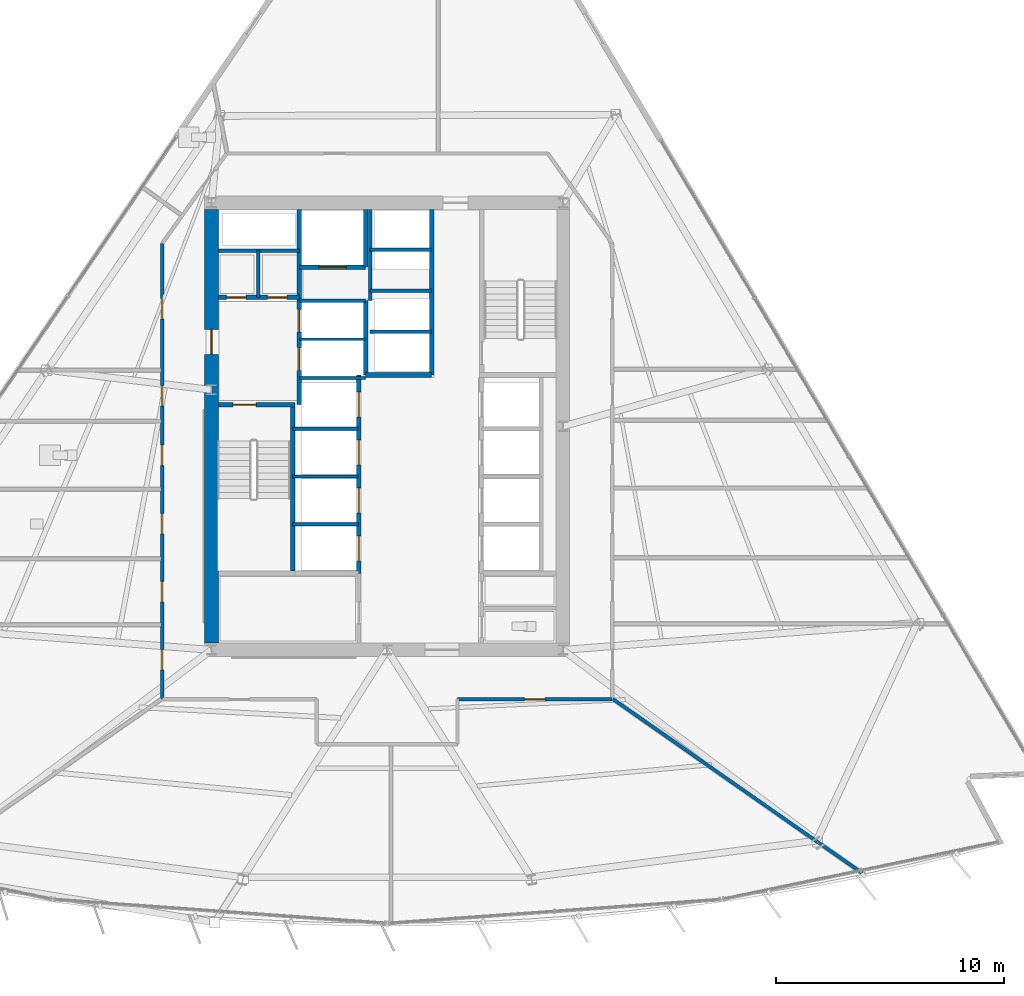
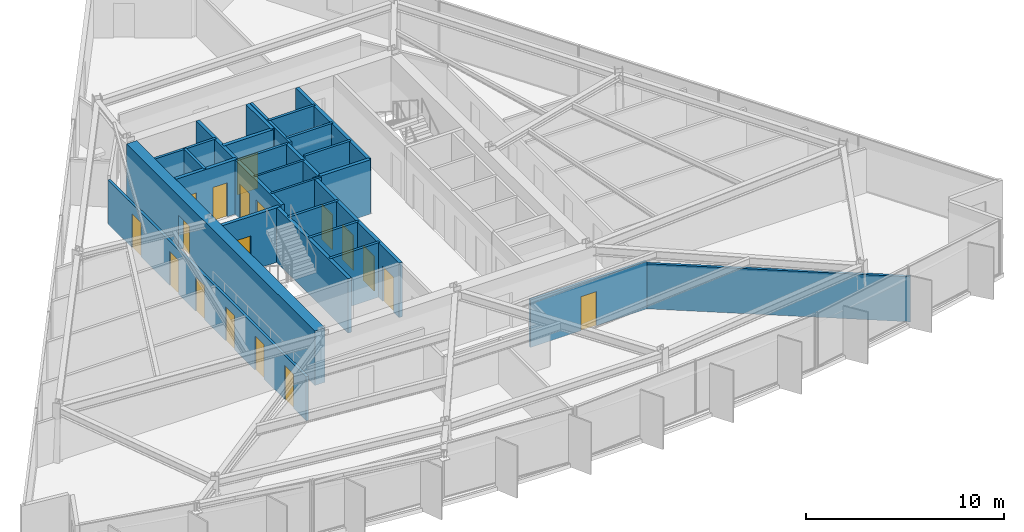
# One storey, part 8 of 15: 26 walls, 18 doors, 18 openings.
"""IFC4 building model written with IfcOpenShell, lengths in metres."""

from ifc_helpers import new_model, si_unit, direction, frame, frame_2d, origin, place, context, subcontext, project, spatial, rectangle, extrude, material, layer, layer_set, type_object, element, fill, save


model = new_model("IFC4")

# Units and contexts
model_context = context("Model", 3, precision=1e-05, world=origin(), true_north=direction((0.0, 1.0)))
body_context = subcontext(model_context, "Body", "Model", "MODEL_VIEW")
ifc_project = project(units=[si_unit("LENGTHUNIT", "METRE"), si_unit("AREAUNIT", "SQUARE_METRE"), si_unit("VOLUMEUNIT", "CUBIC_METRE"), si_unit("PLANEANGLEUNIT", "RADIAN"), si_unit("MASSUNIT", "GRAM", prefix="KILO")], contexts=[model_context])

# Site, building, storey
site_placement = place(None, origin())
site = spatial("IfcSite", under=ifc_project, at=site_placement, CompositionType="ELEMENT")
building_placement = place(site_placement, origin())
building = spatial("IfcBuilding", under=site, at=building_placement, Name="Savorim Split Tower", CompositionType="ELEMENT")
storey_placement = place(building_placement, frame((0.0, 0.0, 100.5)))
storey = spatial("IfcBuildingStorey", under=building, at=storey_placement, Name="L26", CompositionType="ELEMENT", Elevation=100.5)

# Wall, opening, door
ifc_material_1 = material(Name="Concrete C60/75", Category="concrete")
ifc_layer_1 = layer(ifc_material_1, 0.60009765625)
ifc_layer_set_1 = layer_set([ifc_layer_1], Name="WAL-COR-SH600")
wall_type_1 = type_object("IfcWallType", Name="WAL-COR-SH600", PredefinedType="SHEAR", material=ifc_layer_set_1)
wall_1_placement = place(storey_placement, frame((-7.699951171875, -9.10009765625, 0.0), z_axis=(0.0, 0.0, 1.0), x_axis=(0.0, 1.0, 0.0)))
wall_1 = element("IfcWall", 1, at=wall_1_placement, inside=storey, type_object=wall_type_1, Name="L26 Offset Core West Shear Wall", PredefinedType="SHEAR", context=body_context, shape_type="SweptSolid", body=[
    extrude(rectangle(XDim=19.0, YDim=0.60009765625, at=frame_2d((9.5, 0.0))), origin(), (0.0, 0.0, 1.0), 3.35009765625),
])
opening_1_placement = place(wall_1_placement, frame((12.64990234375, 0.0, 0.0)))
opening_1 = element("IfcOpeningElement", 2, at=opening_1_placement, cuts=wall_1, Name="Opening DI-03", PredefinedType="OPENING", context=body_context, shape_type="SweptSolid", body=[
    extrude(rectangle(XDim=1.10009765625, YDim=2.14990234375, at=frame_2d((0.550048828125, 1.074951171875))), frame((0.0, 0.31005859375, 0.0), z_axis=(0.0, -1.0, 0.0), x_axis=(1.0, 0.0, 0.0)), (0.0, 0.0, 1.0), 0.6201171875),
])
ifc_material_2 = material(Name="Timber Fire Door Leaf", Category="wood")
door_type_1 = type_object("IfcDoorType", Name="DOR-FIR-1100", OperationType="NOTDEFINED", PredefinedType="DOOR", material=ifc_material_2)
door_1_placement = place(opening_1_placement, origin())
door_1 = element("IfcDoor", 3, at=door_1_placement, inside=storey, type_object=door_type_1, Name="DOR-L26-COR-FFLOB - L26 Firefighting Lobby Corridor Door", OperationType="SINGLE_SWING_RIGHT", OverallHeight=2.14990234375, OverallWidth=1.10009765625, PredefinedType="DOOR", context=body_context, shape_type="SweptSolid", body=[
    extrude(rectangle(XDim=1.10009765625, YDim=2.14990234375, at=frame_2d((0.550048828125, 1.074951171875))), frame((0.0, 0.02490234375, 0.0), z_axis=(0.0, -1.0, 0.0), x_axis=(1.0, 0.0, 0.0)), (0.0, 0.0, 1.0), 0.050048828125),
])
fill(opening_1, door_1)

ifc_material_3 = material(Name="Concrete C50/60", Category="concrete")
ifc_layer_2 = layer(ifc_material_3, 0.199951171875)
ifc_layer_set_2 = layer_set([ifc_layer_2], Name="WAL-INT-RC200")
wall_type_2 = type_object("IfcWallType", Name="WAL-INT-RC200", PredefinedType="SOLIDWALL", material=ifc_layer_set_2)
wall_2_placement = place(storey_placement, frame((-7.39990234375, 1.35009765625, 0.0), z_axis=(0.0, 0.0, 1.0), x_axis=(1.0, 0.0, 0.0)))
wall_2 = element("IfcWall", 4, at=wall_2_placement, inside=storey, type_object=wall_type_2, Name="L26 Structural Shaft Wall W-L26-CR01", PredefinedType="SOLIDWALL", context=body_context, shape_type="SweptSolid", body=[
    extrude(rectangle(XDim=3.349853515625, YDim=0.199951171875, at=frame_2d((1.6748046875, 0.0))), origin(), (0.0, 0.0, 1.0), 3.35009765625),
])
opening_2_placement = place(wall_2_placement, frame((0.64990234375, 0.0, 0.0)))
opening_2 = element("IfcOpeningElement", 5, at=opening_2_placement, cuts=wall_2, Name="Opening DI-04", PredefinedType="OPENING", context=body_context, shape_type="SweptSolid", body=[
    extrude(rectangle(XDim=1.0, YDim=2.14990234375, at=frame_2d((0.5, 1.074951171875))), frame((0.0, 0.10986328125, 0.0), z_axis=(0.0, -1.0, 0.0), x_axis=(1.0, 0.0, 0.0)), (0.0, 0.0, 1.0), 0.219970703125),
])
door_type_2 = type_object("IfcDoorType", Name="DOR-FIR-1000", OperationType="NOTDEFINED", PredefinedType="DOOR", material=ifc_material_2)
door_2_placement = place(opening_2_placement, origin())
door_2 = element("IfcDoor", 6, at=door_2_placement, inside=storey, type_object=door_type_2, Name="DR-L26-ST1 - L26 Stair ST-1 Enclosure Door", OperationType="SINGLE_SWING_LEFT", OverallHeight=2.14990234375, OverallWidth=1.0, PredefinedType="DOOR", context=body_context, shape_type="SweptSolid", body=[
    extrude(rectangle(XDim=1.0, YDim=2.14990234375, at=frame_2d((0.5, 1.074951171875))), frame((0.0, 0.02490234375, 0.0), z_axis=(0.0, -1.0, 0.0), x_axis=(1.0, 0.0, 0.0)), (0.0, 0.0, 1.0), 0.050048828125),
])
fill(opening_2, door_2)

# Wall
wall_3_placement = place(storey_placement, frame((-4.14990234375, -5.949951171875, 0.0), z_axis=(0.0, 0.0, 1.0), x_axis=(0.0, 1.0, 0.0)))
element("IfcWall", 7, at=wall_3_placement, inside=storey, type_object=wall_type_2, Name="L26 Structural Shaft Wall W-L26-CR02", PredefinedType="SOLIDWALL", context=body_context, shape_type="SweptSolid", body=[
    extrude(rectangle(XDim=7.199951171875, YDim=0.199951171875, at=frame_2d((3.60009765625, 0.0))), origin(), (0.0, 0.0, 1.0), 3.35009765625),
])

# Wall, openings, doors
wall_4_placement = place(storey_placement, frame((-3.85009765625, 1.35009765625, 0.0), z_axis=(0.0, 0.0, 1.0), x_axis=(0.0, 1.0, 0.0)))
wall_4 = element("IfcWall", 8, at=wall_4_placement, inside=storey, type_object=wall_type_2, Name="L26 Partition W-L26-CR03", PredefinedType="SOLIDWALL", context=body_context, shape_type="SweptSolid", body=[
    extrude(rectangle(XDim=8.544921875, YDim=0.199951171875, at=frame_2d((4.2724609375, 0.0))), origin(), (0.0, 0.0, 1.0), 3.35009765625),
])
opening_3_placement = place(wall_4_placement, frame((1.5, 0.0, 0.0)))
opening_3 = element("IfcOpeningElement", 9, at=opening_3_placement, cuts=wall_4, Name="Opening LD-FFL", PredefinedType="OPENING", context=body_context, shape_type="SweptSolid", body=[
    extrude(rectangle(XDim=1.0, YDim=2.14990234375, at=frame_2d((0.5, 1.074951171875))), frame((0.0, 0.10986328125, 0.0), z_axis=(0.0, -1.0, 0.0), x_axis=(1.0, 0.0, 0.0)), (0.0, 0.0, 1.0), 0.219970703125),
])
opening_4_placement = place(wall_4_placement, frame((3.179931640625, 0.0, 0.0)))
opening_4 = element("IfcOpeningElement", 10, at=opening_4_placement, cuts=wall_4, Name="Opening LD-FFL", PredefinedType="OPENING", context=body_context, shape_type="SweptSolid", body=[
    extrude(rectangle(XDim=1.0, YDim=2.14990234375, at=frame_2d((0.5, 1.074951171875))), frame((0.0, 0.10986328125, 0.0), z_axis=(0.0, -1.0, 0.0), x_axis=(1.0, 0.0, 0.0)), (0.0, 0.0, 1.0), 0.219970703125),
])
ifc_material_4 = material(Name="Charcoal Anodised Aluminium", Category="aluminium")
door_type_3 = type_object("IfcDoorType", Name="DOR-SLD-LD1000", OperationType="NOTDEFINED", PredefinedType="DOOR", material=ifc_material_4)
door_3_placement = place(opening_3_placement, origin())
door_3 = element("IfcDoor", 11, at=door_3_placement, inside=storey, type_object=door_type_3, Name="DR-L26-LD-FFL1 - L26 Firefighting Lift FFL-1 Sliding Landing Door", OperationType="DOUBLE_DOOR_SLIDING", OverallHeight=2.14990234375, OverallWidth=1.0, PredefinedType="DOOR", context=body_context, shape_type="SweptSolid", body=[
    extrude(rectangle(XDim=1.0, YDim=2.14990234375, at=frame_2d((0.5, 1.074951171875))), frame((0.0, 0.02490234375, 0.0), z_axis=(0.0, -1.0, 0.0), x_axis=(1.0, 0.0, 0.0)), (0.0, 0.0, 1.0), 0.050048828125),
])
fill(opening_3, door_3)
door_4_placement = place(opening_4_placement, origin())
door_4 = element("IfcDoor", 12, at=door_4_placement, inside=storey, type_object=door_type_3, Name="DR-L26-LD-FFL2 - L26 Firefighting Lift FFL-2 Sliding Landing Door", OperationType="DOUBLE_DOOR_SLIDING", OverallHeight=2.14990234375, OverallWidth=1.0, PredefinedType="DOOR", context=body_context, shape_type="SweptSolid", body=[
    extrude(rectangle(XDim=1.0, YDim=2.14990234375, at=frame_2d((0.5, 1.074951171875))), frame((0.0, 0.02490234375, 0.0), z_axis=(0.0, -1.0, 0.0), x_axis=(1.0, 0.0, 0.0)), (0.0, 0.0, 1.0), 0.050048828125),
])
fill(opening_4, door_4)

wall_5_placement = place(storey_placement, frame((-7.39501953125, 6.050048828125, 0.0), z_axis=(0.0, 0.0, 1.0), x_axis=(1.0, 0.0, 0.0)))
wall_5 = element("IfcWall", 13, at=wall_5_placement, inside=storey, type_object=wall_type_2, Name="L26 Partition W-L26-CR04", PredefinedType="SOLIDWALL", context=body_context, shape_type="SweptSolid", body=[
    extrude(rectangle(XDim=3.544921875, YDim=0.199951171875, at=frame_2d((1.7724609375, 0.0))), origin(), (0.0, 0.0, 1.0), 3.35009765625),
])
opening_5_placement = place(wall_5_placement, frame((0.344970703125, 0.0, 0.0)))
opening_5 = element("IfcOpeningElement", 14, at=opening_5_placement, cuts=wall_5, Name="Opening DI-12", PredefinedType="OPENING", context=body_context, shape_type="SweptSolid", body=[
    extrude(rectangle(XDim=0.85009765625, YDim=2.10009765625, at=frame_2d((0.425048828125, 1.050048828125))), frame((0.0, 0.10986328125, 0.0), z_axis=(0.0, -1.0, 0.0), x_axis=(1.0, 0.0, 0.0)), (0.0, 0.0, 1.0), 0.219970703125),
])
opening_6_placement = place(wall_5_placement, frame((2.14501953125, 0.0, 0.0)))
opening_6 = element("IfcOpeningElement", 15, at=opening_6_placement, cuts=wall_5, Name="Opening DI-12", PredefinedType="OPENING", context=body_context, shape_type="SweptSolid", body=[
    extrude(rectangle(XDim=0.85009765625, YDim=2.10009765625, at=frame_2d((0.425048828125, 1.050048828125))), frame((0.0, 0.10986328125, 0.0), z_axis=(0.0, -1.0, 0.0), x_axis=(1.0, 0.0, 0.0)), (0.0, 0.0, 1.0), 0.219970703125),
])
ifc_material_5 = material(Name="Galvanised Painted Steel Balustrade", Category="steel")
door_type_4 = type_object("IfcDoorType", Name="DOR-RIS-850", OperationType="NOTDEFINED", PredefinedType="DOOR", material=ifc_material_5)
door_5_placement = place(opening_5_placement, origin())
door_5 = element("IfcDoor", 16, at=door_5_placement, inside=storey, type_object=door_type_4, Name="DR-L26-ELR - L26 Electrical Riser Access Door", OperationType="SINGLE_SWING_RIGHT", OverallHeight=2.10009765625, OverallWidth=0.85009765625, PredefinedType="DOOR", context=body_context, shape_type="SweptSolid", body=[
    extrude(rectangle(XDim=0.85009765625, YDim=2.10009765625, at=frame_2d((0.425048828125, 1.050048828125))), frame((0.0, 0.02490234375, 0.0), z_axis=(0.0, -1.0, 0.0), x_axis=(1.0, 0.0, 0.0)), (0.0, 0.0, 1.0), 0.050048828125),
])
fill(opening_5, door_5)
door_6_placement = place(opening_6_placement, origin())
door_6 = element("IfcDoor", 17, at=door_6_placement, inside=storey, type_object=door_type_4, Name="DR-L26-TLR - L26 Telecom Riser Access Door", OperationType="SINGLE_SWING_LEFT", OverallHeight=2.10009765625, OverallWidth=0.85009765625, PredefinedType="DOOR", context=body_context, shape_type="SweptSolid", body=[
    extrude(rectangle(XDim=0.85009765625, YDim=2.10009765625, at=frame_2d((0.425048828125, 1.050048828125))), frame((0.0, 0.02490234375, 0.0), z_axis=(0.0, -1.0, 0.0), x_axis=(1.0, 0.0, 0.0)), (0.0, 0.0, 1.0), 0.050048828125),
])
fill(opening_6, door_6)

# Wall
wall_6_placement = place(storey_placement, frame((-0.949951171875, 2.64990234375, 0.0), z_axis=(0.0, 0.0, 1.0), x_axis=(0.0, 1.0, 0.0)))
element("IfcWall", 18, at=wall_6_placement, inside=storey, type_object=wall_type_2, Name="L26 Partition W-L26-FFLW", PredefinedType="SOLIDWALL", context=body_context, shape_type="SweptSolid", body=[
    extrude(rectangle(XDim=3.27001953125, YDim=0.199951171875, at=frame_2d((1.635009765625, 0.0))), origin(), (0.0, 0.0, 1.0), 3.35009765625),
])

# Wall, opening, door
wall_7_placement = place(storey_placement, frame((-3.85009765625, 7.3798828125, 0.0), z_axis=(0.0, 0.0, 1.0), x_axis=(1.0, 0.0, 0.0)))
wall_7 = element("IfcWall", 19, at=wall_7_placement, inside=storey, type_object=wall_type_2, Name="L26 Partition W-L26-SVLS", PredefinedType="SOLIDWALL", context=body_context, shape_type="SweptSolid", body=[
    extrude(rectangle(XDim=2.900146484375, YDim=0.199951171875, at=frame_2d((1.4501953125, 0.0))), origin(), (0.0, 0.0, 1.0), 3.35009765625),
])
opening_7_placement = place(wall_7_placement, frame((0.85009765625, 0.0, 0.0)))
opening_7 = element("IfcOpeningElement", 20, at=opening_7_placement, cuts=wall_7, Name="Opening LD-SV", PredefinedType="OPENING", context=body_context, shape_type="SweptSolid", body=[
    extrude(rectangle(XDim=1.199951171875, YDim=2.199951171875, at=frame_2d((0.60009765625, 1.10009765625))), frame((0.0, 0.10986328125, 0.0), z_axis=(0.0, -1.0, 0.0), x_axis=(1.0, 0.0, 0.0)), (0.0, 0.0, 1.0), 0.219970703125),
])
door_type_5 = type_object("IfcDoorType", Name="DOR-SLD-SV1200", OperationType="NOTDEFINED", PredefinedType="DOOR", material=ifc_material_4)
door_7_placement = place(opening_7_placement, origin())
door_7 = element("IfcDoor", 21, at=door_7_placement, inside=storey, type_object=door_type_5, Name="DR-L26-LD-SVL1 - L26 Service Lift SVL-1 Sliding Landing Door", OperationType="DOUBLE_DOOR_SLIDING", OverallHeight=2.199951171875, OverallWidth=1.199951171875, PredefinedType="DOOR", context=body_context, shape_type="SweptSolid", body=[
    extrude(rectangle(XDim=1.199951171875, YDim=2.199951171875, at=frame_2d((0.60009765625, 1.10009765625))), frame((0.0, 0.02490234375, 0.0), z_axis=(0.0, -1.0, 0.0), x_axis=(1.0, 0.0, 0.0)), (0.0, 0.0, 1.0), 0.050048828125),
])
fill(opening_7, door_7)

# Wall
wall_8_placement = place(storey_placement, frame((-0.949951171875, 7.3798828125, 0.0), z_axis=(0.0, 0.0, 1.0), x_axis=(0.0, 1.0, 0.0)))
element("IfcWall", 22, at=wall_8_placement, inside=storey, type_object=wall_type_2, Name="L26 Partition W-L26-SVLE", PredefinedType="SOLIDWALL", context=body_context, shape_type="SweptSolid", body=[
    extrude(rectangle(XDim=2.51513671875, YDim=0.199951171875, at=frame_2d((1.257568359375, 0.0))), origin(), (0.0, 0.0, 1.0), 3.35009765625),
])

# Wall, openings, doors
wall_9_placement = place(storey_placement, frame((-1.25, -6.050048828125, 0.0), z_axis=(0.0, 0.0, 1.0), x_axis=(0.0, 1.0, 0.0)))
wall_9 = element("IfcWall", 23, at=wall_9_placement, inside=storey, type_object=wall_type_2, Name="L26 Partition W-L26-B2FRONT", PredefinedType="SOLIDWALL", context=body_context, shape_type="SweptSolid", body=[
    extrude(rectangle(XDim=8.699951171875, YDim=0.199951171875, at=frame_2d((4.35009765625, 0.0))), origin(), (0.0, 0.0, 1.0), 3.35009765625),
])
opening_8_placement = place(wall_9_placement, frame((0.550048828125, 0.0, 0.0)))
opening_8 = element("IfcOpeningElement", 24, at=opening_8_placement, cuts=wall_9, Name="Opening LD-02", PredefinedType="OPENING", context=body_context, shape_type="SweptSolid", body=[
    extrude(rectangle(XDim=1.10009765625, YDim=2.14990234375, at=frame_2d((0.550048828125, 1.074951171875))), frame((0.0, 0.10986328125, 0.0), z_axis=(0.0, -1.0, 0.0), x_axis=(1.0, 0.0, 0.0)), (0.0, 0.0, 1.0), 0.219970703125),
])
opening_9_placement = place(wall_9_placement, frame((2.64990234375, 0.0, 0.0)))
opening_9 = element("IfcOpeningElement", 25, at=opening_9_placement, cuts=wall_9, Name="Opening LD-02", PredefinedType="OPENING", context=body_context, shape_type="SweptSolid", body=[
    extrude(rectangle(XDim=1.10009765625, YDim=2.14990234375, at=frame_2d((0.550048828125, 1.074951171875))), frame((0.0, 0.10986328125, 0.0), z_axis=(0.0, -1.0, 0.0), x_axis=(1.0, 0.0, 0.0)), (0.0, 0.0, 1.0), 0.219970703125),
])
opening_10_placement = place(wall_9_placement, frame((4.75, 0.0, 0.0)))
opening_10 = element("IfcOpeningElement", 26, at=opening_10_placement, cuts=wall_9, Name="Opening LD-02", PredefinedType="OPENING", context=body_context, shape_type="SweptSolid", body=[
    extrude(rectangle(XDim=1.10009765625, YDim=2.14990234375, at=frame_2d((0.550048828125, 1.074951171875))), frame((0.0, 0.10986328125, 0.0), z_axis=(0.0, -1.0, 0.0), x_axis=(1.0, 0.0, 0.0)), (0.0, 0.0, 1.0), 0.219970703125),
])
opening_11_placement = place(wall_9_placement, frame((6.85009765625, 0.0, 0.0)))
opening_11 = element("IfcOpeningElement", 27, at=opening_11_placement, cuts=wall_9, Name="Opening LD-02", PredefinedType="OPENING", context=body_context, shape_type="SweptSolid", body=[
    extrude(rectangle(XDim=1.10009765625, YDim=2.14990234375, at=frame_2d((0.550048828125, 1.074951171875))), frame((0.0, 0.10986328125, 0.0), z_axis=(0.0, -1.0, 0.0), x_axis=(1.0, 0.0, 0.0)), (0.0, 0.0, 1.0), 0.219970703125),
])
door_type_6 = type_object("IfcDoorType", Name="DOR-SLD-LDM1100", OperationType="NOTDEFINED", PredefinedType="DOOR", material=ifc_material_4)
door_8_placement = place(opening_8_placement, origin())
door_8 = element("IfcDoor", 28, at=door_8_placement, inside=storey, type_object=door_type_6, Name="DR-L26-LD-PLM1 - L26 Lift PL-M1 Sliding Landing Door", OperationType="DOUBLE_DOOR_SLIDING", OverallHeight=2.14990234375, OverallWidth=1.10009765625, PredefinedType="DOOR", context=body_context, shape_type="SweptSolid", body=[
    extrude(rectangle(XDim=1.10009765625, YDim=2.14990234375, at=frame_2d((0.550048828125, 1.074951171875))), frame((0.0, 0.02490234375, 0.0), z_axis=(0.0, -1.0, 0.0), x_axis=(1.0, 0.0, 0.0)), (0.0, 0.0, 1.0), 0.050048828125),
])
fill(opening_8, door_8)
door_9_placement = place(opening_9_placement, origin())
door_9 = element("IfcDoor", 29, at=door_9_placement, inside=storey, type_object=door_type_6, Name="DR-L26-LD-PLM2 - L26 Lift PL-M2 Sliding Landing Door", OperationType="DOUBLE_DOOR_SLIDING", OverallHeight=2.14990234375, OverallWidth=1.10009765625, PredefinedType="DOOR", context=body_context, shape_type="SweptSolid", body=[
    extrude(rectangle(XDim=1.10009765625, YDim=2.14990234375, at=frame_2d((0.550048828125, 1.074951171875))), frame((0.0, 0.02490234375, 0.0), z_axis=(0.0, -1.0, 0.0), x_axis=(1.0, 0.0, 0.0)), (0.0, 0.0, 1.0), 0.050048828125),
])
fill(opening_9, door_9)
door_10_placement = place(opening_10_placement, origin())
door_10 = element("IfcDoor", 30, at=door_10_placement, inside=storey, type_object=door_type_6, Name="DR-L26-LD-PLM3 - L26 Lift PL-M3 Sliding Landing Door", OperationType="DOUBLE_DOOR_SLIDING", OverallHeight=2.14990234375, OverallWidth=1.10009765625, PredefinedType="DOOR", context=body_context, shape_type="SweptSolid", body=[
    extrude(rectangle(XDim=1.10009765625, YDim=2.14990234375, at=frame_2d((0.550048828125, 1.074951171875))), frame((0.0, 0.02490234375, 0.0), z_axis=(0.0, -1.0, 0.0), x_axis=(1.0, 0.0, 0.0)), (0.0, 0.0, 1.0), 0.050048828125),
])
fill(opening_10, door_10)
door_11_placement = place(opening_11_placement, origin())
door_11 = element("IfcDoor", 31, at=door_11_placement, inside=storey, type_object=door_type_6, Name="DR-L26-LD-PLM4 - L26 Lift PL-M4 Sliding Landing Door", OperationType="DOUBLE_DOOR_SLIDING", OverallHeight=2.14990234375, OverallWidth=1.10009765625, PredefinedType="DOOR", context=body_context, shape_type="SweptSolid", body=[
    extrude(rectangle(XDim=1.10009765625, YDim=2.14990234375, at=frame_2d((0.550048828125, 1.074951171875))), frame((0.0, 0.02490234375, 0.0), z_axis=(0.0, -1.0, 0.0), x_axis=(1.0, 0.0, 0.0)), (0.0, 0.0, 1.0), 0.050048828125),
])
fill(opening_11, door_11)

# Walls
wall_10_placement = place(storey_placement, frame((1.949951171875, 2.64990234375, 0.0), z_axis=(0.0, 0.0, 1.0), x_axis=(0.0, 1.0, 0.0)))
element("IfcWall", 32, at=wall_10_placement, inside=storey, type_object=wall_type_2, Name="L26 Partition W-L26-B3FRONT", PredefinedType="SOLIDWALL", context=body_context, shape_type="SweptSolid", body=[
    extrude(rectangle(XDim=7.2451171875, YDim=0.199951171875, at=frame_2d((3.62255859375, 0.0))), origin(), (0.0, 0.0, 1.0), 3.35009765625),
])
wall_11_placement = place(storey_placement, frame((-0.949951171875, 2.64990234375, 0.0), z_axis=(0.0, 0.0, 1.0), x_axis=(1.0, 0.0, 0.0)))
element("IfcWall", 33, at=wall_11_placement, inside=storey, type_object=wall_type_2, Name="L26 Partition W-L26-B3SOUTH", PredefinedType="SOLIDWALL", context=body_context, shape_type="SweptSolid", body=[
    extrude(rectangle(XDim=2.89990234375, YDim=0.199951171875, at=frame_2d((1.449951171875, 0.0))), origin(), (0.0, 0.0, 1.0), 3.35009765625),
])
ifc_material_6 = material(Name="Acoustic Gypsum Partition Board")
ifc_layer_3 = layer(ifc_material_6, 0.1201171875)
ifc_layer_set_3 = layer_set([ifc_layer_3], Name="WAL-PAR-120")
wall_type_3 = type_object("IfcWallType", Name="WAL-PAR-120", PredefinedType="PARTITIONING", material=ifc_layer_set_3)
for number, where, z_axis, x_axis, name in (
    (34, (-3.85009765625, 2.52001953125, 0.0), (0.0, 0.0, 1.0), (1.0, 0.0, 0.0), "L26 Partition W-L26-FFLD0"),
    (35, (-3.85009765625, 4.219970703125, 0.0), (0.0, 0.0, 1.0), (1.0, 0.0, 0.0), "L26 Partition W-L26-FFLD1"),
):
    element("IfcWall", number, at=place(storey_placement, frame(where, z_axis=z_axis, x_axis=x_axis)), inside=storey, type_object=wall_type_3, Name=name, PredefinedType="PARTITIONING", context=body_context, shape_type="SweptSolid", body=[
        extrude(rectangle(XDim=2.900146484375, YDim=0.1201171875, at=frame_2d((1.4501953125, 0.0))), origin(), (0.0, 0.0, 1.0), 3.35009765625),
    ])
ifc_layer_4 = layer(ifc_material_6, 0.14990234375)
ifc_layer_set_4 = layer_set([ifc_layer_4], Name="WAL-PAR-150")
wall_type_4 = type_object("IfcWallType", Name="WAL-PAR-150", PredefinedType="PARTITIONING", material=ifc_layer_set_4)
wall_12_placement = place(storey_placement, frame((-7.39501953125, 8.10009765625, 0.0), z_axis=(0.0, 0.0, 1.0), x_axis=(1.0, 0.0, 0.0)))
element("IfcWall", 36, at=wall_12_placement, inside=storey, type_object=wall_type_4, Name="L26 Partition W-L26-CR05", PredefinedType="PARTITIONING", context=body_context, shape_type="SweptSolid", body=[
    extrude(rectangle(XDim=3.544921875, YDim=0.14990234375, at=frame_2d((1.7724609375, 0.0))), origin(), (0.0, 0.0, 1.0), 3.35009765625),
])
wall_13_placement = place(storey_placement, frame((-5.64990234375, 6.050048828125, 0.0), z_axis=(0.0, 0.0, 1.0), x_axis=(0.0, 1.0, 0.0)))
element("IfcWall", 37, at=wall_13_placement, inside=storey, type_object=wall_type_4, Name="L26 Partition W-L26-CR06", PredefinedType="PARTITIONING", context=body_context, shape_type="SweptSolid", body=[
    extrude(rectangle(XDim=2.050048828125, YDim=0.14990234375, at=frame_2d((1.02490234375, 0.0))), origin(), (0.0, 0.0, 1.0), 3.35009765625),
])
wall_14_placement = place(storey_placement, frame((-3.85009765625, 5.89990234375, 0.0), z_axis=(0.0, 0.0, 1.0), x_axis=(1.0, 0.0, 0.0)))
element("IfcWall", 38, at=wall_14_placement, inside=storey, type_object=wall_type_4, Name="L26 Partition W-L26-FFLD2", PredefinedType="PARTITIONING", context=body_context, shape_type="SweptSolid", body=[
    extrude(rectangle(XDim=2.900146484375, YDim=0.14990234375, at=frame_2d((1.4501953125, 0.0))), origin(), (0.0, 0.0, 1.0), 3.35009765625),
])
for number, where, z_axis, x_axis, name in (
    (39, (-4.14990234375, -3.89990234375, 0.0), (0.0, 0.0, 1.0), (1.0, 0.0, 0.0), "L26 Partition W-L26-B2DIV1"),
    (40, (-4.14990234375, -1.800048828125, 0.0), (0.0, 0.0, 1.0), (1.0, 0.0, 0.0), "L26 Partition W-L26-B2DIV2"),
    (41, (-4.14990234375, 0.300048828125, 0.0), (0.0, 0.0, 1.0), (1.0, 0.0, 0.0), "L26 Partition W-L26-B2DIV3"),
):
    element("IfcWall", number, at=place(storey_placement, frame(where, z_axis=z_axis, x_axis=x_axis)), inside=storey, type_object=wall_type_4, Name=name, PredefinedType="PARTITIONING", context=body_context, shape_type="SweptSolid", body=[
        extrude(rectangle(XDim=2.89990234375, YDim=0.14990234375, at=frame_2d((1.449951171875, 0.0))), origin(), (0.0, 0.0, 1.0), 3.35009765625),
    ])
wall_15_placement = place(storey_placement, frame((-0.75, 5.919921875, 0.0), z_axis=(0.0, 0.0, 1.0), x_axis=(0.0, 1.0, 0.0)))
element("IfcWall", 42, at=wall_15_placement, inside=storey, type_object=wall_type_4, Name="L26 Partition W-L26-B3WEST", PredefinedType="PARTITIONING", context=body_context, shape_type="SweptSolid", body=[
    extrude(rectangle(XDim=3.97509765625, YDim=0.14990234375, at=frame_2d((1.987548828125, 0.0))), origin(), (0.0, 0.0, 1.0), 3.35009765625),
])
for number, where, z_axis, x_axis, name in (
    (43, (-0.75, 4.550048828125, 0.0), (0.0, 0.0, 1.0), (1.0, 0.0, 0.0), "L26 Partition W-L26-B3DIV1"),
    (44, (-0.75, 6.35009765625, 0.0), (0.0, 0.0, 1.0), (1.0, 0.0, 0.0), "L26 Partition W-L26-B3DIV2"),
    (45, (-0.75, 8.14990234375, 0.0), (0.0, 0.0, 1.0), (1.0, 0.0, 0.0), "L26 Partition W-L26-B3DIV3"),
):
    element("IfcWall", number, at=place(storey_placement, frame(where, z_axis=z_axis, x_axis=x_axis)), inside=storey, type_object=wall_type_4, Name=name, PredefinedType="PARTITIONING", context=body_context, shape_type="SweptSolid", body=[
        extrude(rectangle(XDim=2.699951171875, YDim=0.14990234375, at=frame_2d((1.35009765625, 0.0))), origin(), (0.0, 0.0, 1.0), 3.35009765625),
    ])

# Wall, openings, doors
wall_16_placement = place(storey_placement, frame((-9.860107421875, -11.56005859375, 0.0), z_axis=(0.0, 0.0, 1.0), x_axis=(0.0, 1.0, 0.0)))
wall_16 = element("IfcWall", 46, at=wall_16_placement, inside=storey, type_object=wall_type_4, Name="L26 Partition W-L26-COR-01", PredefinedType="PARTITIONING", context=body_context, shape_type="SweptSolid", body=[
    extrude(rectangle(XDim=19.98583984375, YDim=0.14990234375, at=frame_2d((9.992919921875, 0.0))), origin(), (0.0, 0.0, 1.0), 2.705078125),
])
opening_12_placement = place(wall_16_placement, frame((10.240966796875, 0.0, 0.0)))
opening_12 = element("IfcOpeningElement", 47, at=opening_12_placement, cuts=wall_16, Name="Opening DI-11", PredefinedType="OPENING", context=body_context, shape_type="SweptSolid", body=[
    extrude(rectangle(XDim=0.89990234375, YDim=2.10009765625, at=frame_2d((0.449951171875, 1.050048828125))), frame((0.0, 0.0849609375, 0.0), z_axis=(0.0, -1.0, 0.0), x_axis=(1.0, 0.0, 0.0)), (0.0, 0.0, 1.0), 0.169921875),
])
opening_13_placement = place(wall_16_placement, frame((7.231201171875, 0.0, 0.0)))
opening_13 = element("IfcOpeningElement", 48, at=opening_13_placement, cuts=wall_16, Name="Opening DI-06", PredefinedType="OPENING", context=body_context, shape_type="SweptSolid", body=[
    extrude(rectangle(XDim=0.89990234375, YDim=2.10009765625, at=frame_2d((0.449951171875, 1.050048828125))), frame((0.0, 0.0849609375, 0.0), z_axis=(0.0, -1.0, 0.0), x_axis=(1.0, 0.0, 0.0)), (0.0, 0.0, 1.0), 0.169921875),
])
opening_14_placement = place(wall_16_placement, frame((4.25927734375, 0.0, 0.0)))
opening_14 = element("IfcOpeningElement", 49, at=opening_14_placement, cuts=wall_16, Name="Opening DI-06", PredefinedType="OPENING", context=body_context, shape_type="SweptSolid", body=[
    extrude(rectangle(XDim=0.89990234375, YDim=2.10009765625, at=frame_2d((0.449951171875, 1.050048828125))), frame((0.0, 0.0849609375, 0.0), z_axis=(0.0, -1.0, 0.0), x_axis=(1.0, 0.0, 0.0)), (0.0, 0.0, 1.0), 0.169921875),
])
opening_15_placement = place(wall_16_placement, frame((1.269775390625, 0.0, 0.0)))
opening_15 = element("IfcOpeningElement", 50, at=opening_15_placement, cuts=wall_16, Name="Opening DI-06", PredefinedType="OPENING", context=body_context, shape_type="SweptSolid", body=[
    extrude(rectangle(XDim=0.89990234375, YDim=2.10009765625, at=frame_2d((0.449951171875, 1.050048828125))), frame((0.0, 0.0849609375, 0.0), z_axis=(0.0, -1.0, 0.0), x_axis=(1.0, 0.0, 0.0)), (0.0, 0.0, 1.0), 0.169921875),
])
opening_16_placement = place(wall_16_placement, frame((16.66259765625, 0.0, 0.0)))
opening_16 = element("IfcOpeningElement", 51, at=opening_16_placement, cuts=wall_16, Name="Opening DI-06", PredefinedType="OPENING", context=body_context, shape_type="SweptSolid", body=[
    extrude(rectangle(XDim=0.89990234375, YDim=2.10009765625, at=frame_2d((0.449951171875, 1.050048828125))), frame((0.0, 0.0849609375, 0.0), z_axis=(0.0, -1.0, 0.0), x_axis=(1.0, 0.0, 0.0)), (0.0, 0.0, 1.0), 0.169921875),
])
opening_17_placement = place(wall_16_placement, frame((12.84716796875, 0.0, 0.0)))
opening_17 = element("IfcOpeningElement", 52, at=opening_17_placement, cuts=wall_16, Name="Opening DI-06", PredefinedType="OPENING", context=body_context, shape_type="SweptSolid", body=[
    extrude(rectangle(XDim=0.89990234375, YDim=2.10009765625, at=frame_2d((0.449951171875, 1.050048828125))), frame((0.0, 0.0849609375, 0.0), z_axis=(0.0, -1.0, 0.0), x_axis=(1.0, 0.0, 0.0)), (0.0, 0.0, 1.0), 0.169921875),
])
door_type_7 = type_object("IfcDoorType", Name="DOR-FIR-900", OperationType="NOTDEFINED", PredefinedType="DOOR", material=ifc_material_2)
door_12_placement = place(opening_13_placement, origin())
door_12 = element("IfcDoor", 53, at=door_12_placement, inside=storey, type_object=door_type_7, Name="DR-L26-RM02 - L26 Shared Kitchen Entry Door", OperationType="SINGLE_SWING_LEFT", OverallHeight=2.10009765625, OverallWidth=0.89990234375, PredefinedType="DOOR", context=body_context, shape_type="SweptSolid", body=[
    extrude(rectangle(XDim=0.89990234375, YDim=2.10009765625, at=frame_2d((0.449951171875, 1.050048828125))), frame((0.0, 0.02490234375, 0.0), z_axis=(0.0, -1.0, 0.0), x_axis=(1.0, 0.0, 0.0)), (0.0, 0.0, 1.0), 0.050048828125),
])
fill(opening_13, door_12)
door_13_placement = place(opening_14_placement, origin())
door_13 = element("IfcDoor", 54, at=door_13_placement, inside=storey, type_object=door_type_7, Name="DR-L26-RM03 - L26 Co-Working Commons Entry Door", OperationType="SINGLE_SWING_RIGHT", OverallHeight=2.10009765625, OverallWidth=0.89990234375, PredefinedType="DOOR", context=body_context, shape_type="SweptSolid", body=[
    extrude(rectangle(XDim=0.89990234375, YDim=2.10009765625, at=frame_2d((0.449951171875, 1.050048828125))), frame((0.0, 0.02490234375, 0.0), z_axis=(0.0, -1.0, 0.0), x_axis=(1.0, 0.0, 0.0)), (0.0, 0.0, 1.0), 0.050048828125),
])
fill(opening_14, door_13)
door_14_placement = place(opening_15_placement, origin())
door_14 = element("IfcDoor", 55, at=door_14_placement, inside=storey, type_object=door_type_7, Name="DR-L26-RM04 - L26 Co-Working Commons Entry Door", OperationType="SINGLE_SWING_LEFT", OverallHeight=2.10009765625, OverallWidth=0.89990234375, PredefinedType="DOOR", context=body_context, shape_type="SweptSolid", body=[
    extrude(rectangle(XDim=0.89990234375, YDim=2.10009765625, at=frame_2d((0.449951171875, 1.050048828125))), frame((0.0, 0.02490234375, 0.0), z_axis=(0.0, -1.0, 0.0), x_axis=(1.0, 0.0, 0.0)), (0.0, 0.0, 1.0), 0.050048828125),
])
fill(opening_15, door_14)
door_15_placement = place(opening_16_placement, origin())
door_15 = element("IfcDoor", 56, at=door_15_placement, inside=storey, type_object=door_type_7, Name="DR-L26-RM15 - L26 Maker Workshop Entry Door", OperationType="SINGLE_SWING_RIGHT", OverallHeight=2.10009765625, OverallWidth=0.89990234375, PredefinedType="DOOR", context=body_context, shape_type="SweptSolid", body=[
    extrude(rectangle(XDim=0.89990234375, YDim=2.10009765625, at=frame_2d((0.449951171875, 1.050048828125))), frame((0.0, 0.02490234375, 0.0), z_axis=(0.0, -1.0, 0.0), x_axis=(1.0, 0.0, 0.0)), (0.0, 0.0, 1.0), 0.050048828125),
])
fill(opening_16, door_15)
door_16_placement = place(opening_17_placement, origin())
door_16 = element("IfcDoor", 57, at=door_16_placement, inside=storey, type_object=door_type_7, Name="DR-L26-RM16 - L26 Co-Living Bedroom Entry Door", OperationType="SINGLE_SWING_LEFT", OverallHeight=2.10009765625, OverallWidth=0.89990234375, PredefinedType="DOOR", context=body_context, shape_type="SweptSolid", body=[
    extrude(rectangle(XDim=0.89990234375, YDim=2.10009765625, at=frame_2d((0.449951171875, 1.050048828125))), frame((0.0, 0.02490234375, 0.0), z_axis=(0.0, -1.0, 0.0), x_axis=(1.0, 0.0, 0.0)), (0.0, 0.0, 1.0), 0.050048828125),
])
fill(opening_17, door_16)
ifc_material_7 = material(Name="Oak Veneer Acoustic Door")
door_type_8 = type_object("IfcDoorType", Name="DOR-WC-900", OperationType="NOTDEFINED", PredefinedType="DOOR", material=ifc_material_7)
door_17_placement = place(opening_12_placement, origin())
door_17 = element("IfcDoor", 58, at=door_17_placement, inside=storey, type_object=door_type_8, Name="DR-L26-RM01 - L26 Shared Bathroom Entry Door", OperationType="SINGLE_SWING_RIGHT", OverallHeight=2.10009765625, OverallWidth=0.89990234375, PredefinedType="DOOR", context=body_context, shape_type="SweptSolid", body=[
    extrude(rectangle(XDim=0.89990234375, YDim=2.10009765625, at=frame_2d((0.449951171875, 1.050048828125))), frame((0.0, 0.02490234375, 0.0), z_axis=(0.0, -1.0, 0.0), x_axis=(1.0, 0.0, 0.0)), (0.0, 0.0, 1.0), 0.050048828125),
])
fill(opening_12, door_17)

# Wall, opening, door
wall_17_placement = place(storey_placement, frame((9.860107421875, -11.56005859375, 0.0), z_axis=(0.0, 0.0, 1.0), x_axis=(-1.0, 0.0, 0.0)))
wall_17 = element("IfcWall", 59, at=wall_17_placement, inside=storey, type_object=wall_type_4, Name="L26 Partition W-L26-COR-06", PredefinedType="PARTITIONING", context=body_context, shape_type="SweptSolid", body=[
    extrude(rectangle(XDim=6.780029296875, YDim=0.14990234375, at=frame_2d((3.39013671875, 0.0))), origin(), (0.0, 0.0, 1.0), 2.925048828125),
])
opening_18_placement = place(wall_17_placement, frame((2.93994140625, 0.0, 0.0)))
opening_18 = element("IfcOpeningElement", 60, at=opening_18_placement, cuts=wall_17, Name="Opening DI-06", PredefinedType="OPENING", context=body_context, shape_type="SweptSolid", body=[
    extrude(rectangle(XDim=0.89990234375, YDim=2.10009765625, at=frame_2d((0.449951171875, 1.050048828125))), frame((0.0, 0.0849609375, 0.0), z_axis=(0.0, -1.0, 0.0), x_axis=(1.0, 0.0, 0.0)), (0.0, 0.0, 1.0), 0.169921875),
])
door_18_placement = place(opening_18_placement, origin())
door_18 = element("IfcDoor", 61, at=door_18_placement, inside=storey, type_object=door_type_7, Name="DR-L26-RM06 - L26 Co-Working Commons Entry Door", OperationType="SINGLE_SWING_LEFT", OverallHeight=2.10009765625, OverallWidth=0.89990234375, PredefinedType="DOOR", context=body_context, shape_type="SweptSolid", body=[
    extrude(rectangle(XDim=0.89990234375, YDim=2.10009765625, at=frame_2d((0.449951171875, 1.050048828125))), frame((0.0, 0.02490234375, 0.0), z_axis=(0.0, -1.0, 0.0), x_axis=(1.0, 0.0, 0.0)), (0.0, 0.0, 1.0), 0.050048828125),
])
fill(opening_18, door_18)

# Wall
wall_18_placement = place(storey_placement, frame((9.896240234375, -11.5576171875, 0.0), z_axis=(0.0, 0.0, 1.0), x_axis=(0.819892596191, -0.572517362803, 0.0)))
element("IfcWall", 62, at=wall_18_placement, inside=storey, type_object=wall_type_4, Name="L26 Partition W-L26-PRAD04", PredefinedType="PARTITIONING", context=body_context, shape_type="SweptSolid", body=[
    extrude(rectangle(XDim=13.33935546875, YDim=0.14990234375, at=frame_2d((6.669677734375, 0.0))), origin(), (0.0, 0.0, 1.0), 2.77490234375),
])

save(model, "model.ifc")
